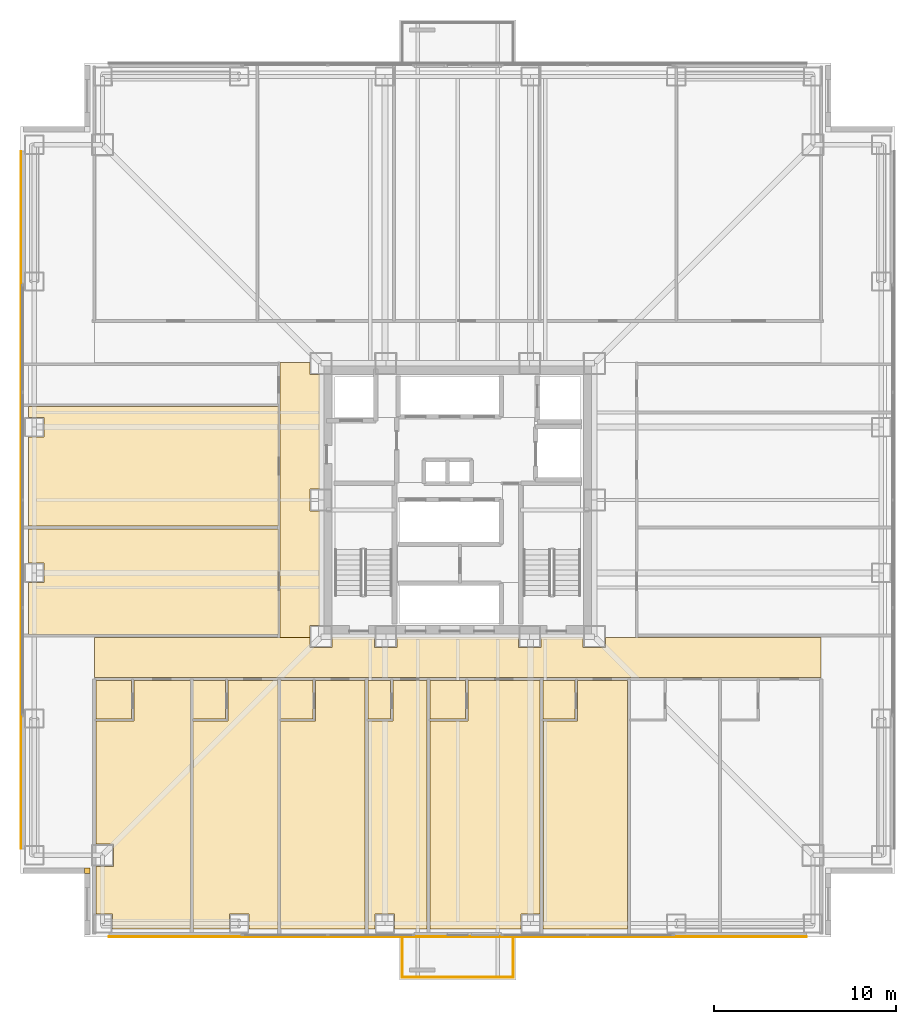
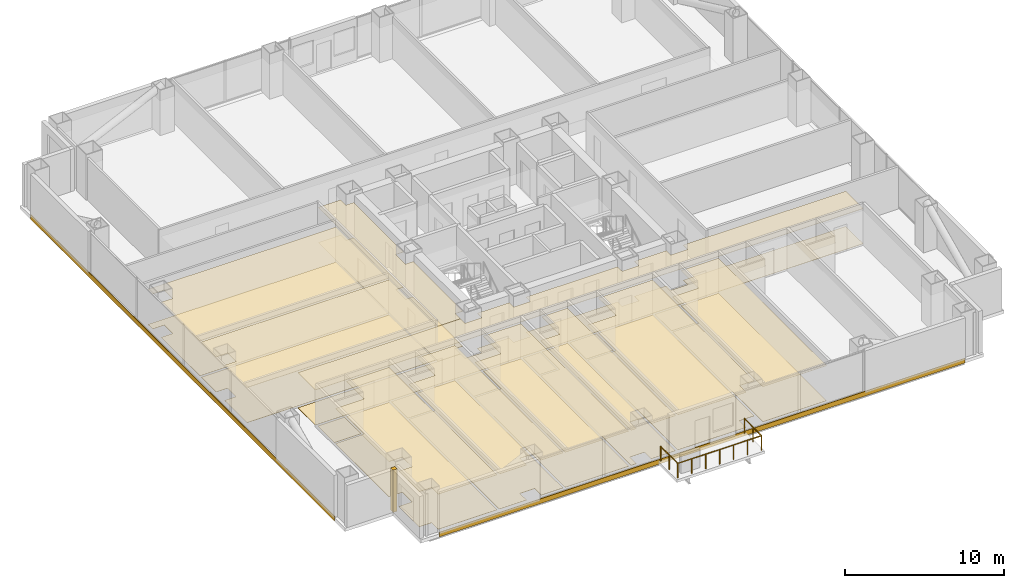
# One storey, part 14 of 16: 29 coverings, 3 railings.
"""IFC4 building model written with IfcOpenShell, lengths in metres."""

from ifc_helpers import new_model, si_unit, direction, frame, frame_2d, origin, origin_2d, place, context, subcontext, project, spatial, polyline, rectangle, circle, outline, extrude, material, layer, layer_set, type_object, element, save


model = new_model("IFC4")

# Units and contexts
model_context = context("Model", 3, precision=1e-05, world=origin(), true_north=direction((0.0, 1.0)))
body_context = subcontext(model_context, "Body", "Model", "MODEL_VIEW")
ifc_project = project(units=[si_unit("LENGTHUNIT", "METRE"), si_unit("AREAUNIT", "SQUARE_METRE"), si_unit("VOLUMEUNIT", "CUBIC_METRE"), si_unit("PLANEANGLEUNIT", "RADIAN"), si_unit("MASSUNIT", "GRAM", prefix="KILO")], contexts=[model_context])

# Site, building, storey
site_placement = place(None, origin())
site = spatial("IfcSite", under=ifc_project, at=site_placement, CompositionType="ELEMENT")
building_placement = place(site_placement, origin())
building = spatial("IfcBuilding", under=site, at=building_placement, Name="Trevonay Congress Spire", CompositionType="ELEMENT")
storey_placement = place(building_placement, frame((0.0, 0.0, 65.5)))
storey = spatial("IfcBuildingStorey", under=building, at=storey_placement, Name="L16", CompositionType="ELEMENT", Elevation=65.5)

# Coverings
ifc_material_1 = material(Name="Acoustic Mineral Fibre Board", Category="gypsum")
ifc_layer_1 = layer(ifc_material_1, 0.02490234375, Name="Acoustic Mineral Fibre Board")
ifc_layer_set_1 = layer_set([ifc_layer_1], Name="Acoustic Mineral Fibre Board")
covering_type_1 = type_object("IfcCoveringType", Name="COV-CEIL-ACOUSTIC", PredefinedType="CEILING", material=ifc_layer_set_1)
covering_1_placement = place(storey_placement, frame((0.0, 0.0, 2.699951171875)))
element("IfcCovering", 1, at=covering_1_placement, inside=storey, type_object=covering_type_1, Name="L16 Hotel Floor Corridor South acoustic suspended ceiling", PredefinedType="CEILING", context=body_context, shape_type="SweptSolid", body=[
    extrude(outline(polyline([(19.949951171875, -7.550048828125), (19.949951171875, -9.75), (-19.949951171875, -9.75), (-19.949951171875, -7.550048828125), (-8.110107421875, -7.550048828125), (-8.110107421875, -8.110107421875), (-6.889892578125, -8.110107421875), (-6.889892578125, -7.550048828125), (-4.56005859375, -7.550048828125), (-4.56005859375, -8.110107421875), (-3.340087890625, -8.110107421875), (-3.340087890625, -7.550048828125), (3.340087890625, -7.550048828125), (3.340087890625, -8.110107421875), (4.56005859375, -8.110107421875), (4.56005859375, -7.550048828125), (6.889892578125, -7.550048828125), (6.889892578125, -8.110107421875), (8.110107421875, -8.110107421875), (8.110107421875, -7.550048828125), (19.949951171875, -7.550048828125)])), origin(), (0.0, 0.0, 1.0), 0.025146484375),
])
covering_2_placement = place(storey_placement, frame((0.0, 0.0, 2.699951171875)))
element("IfcCovering", 2, at=covering_2_placement, inside=storey, type_object=covering_type_1, Name="L16 Hotel Floor Corridor West acoustic suspended ceiling", PredefinedType="CEILING", context=body_context, shape_type="SweptSolid", body=[
    extrude(outline(polyline([(-9.75, 7.550048828125), (-8.110107421875, 7.550048828125), (-8.110107421875, 6.889892578125), (-7.550048828125, 6.889892578125), (-7.550048828125, 0.610107421875), (-8.110107421875, 0.610107421875), (-8.110107421875, -0.610107421875), (-7.550048828125, -0.610107421875), (-7.550048828125, -6.889892578125), (-8.110107421875, -6.889892578125), (-8.110107421875, -7.550048828125), (-9.75, -7.550048828125), (-9.75, 7.550048828125)])), origin(), (0.0, 0.0, 1.0), 0.025146484375),
])
covering_3_placement = place(storey_placement, frame((0.0, 0.0, 2.699951171875)))
element("IfcCovering", 3, at=covering_3_placement, inside=storey, type_object=covering_type_1, Name="L16 Hotel Guest Room acoustic suspended ceiling", PredefinedType="CEILING", context=body_context, shape_type="SweptSolid", body=[
    extrude(outline(polyline([(-19.8701171875, -12.139892578125), (-17.780029296875, -12.139892578125), (-17.780029296875, -9.909912109375), (-14.679931640625, -9.909912109375), (-14.679931640625, -23.550048828125), (-18.965087890625, -23.550048828125), (-18.965087890625, -22.715087890625), (-19.8701171875, -22.715087890625), (-19.8701171875, -20.110107421875), (-18.889892578125, -20.110107421875), (-18.889892578125, -18.889892578125), (-19.8701171875, -18.889892578125), (-19.8701171875, -12.139892578125)])), origin(), (0.0, 0.0, 1.0), 0.025146484375),
])
covering_4_placement = place(storey_placement, frame((0.0, 0.0, 2.699951171875)))
element("IfcCovering", 4, at=covering_4_placement, inside=storey, type_object=covering_type_1, Name="L16 Corner Hotel Suite acoustic suspended ceiling", PredefinedType="CEILING", context=body_context, shape_type="SweptSolid", body=[
    extrude(outline(polyline([(-14.52001953125, -23.550048828125), (-14.52001953125, -12.139892578125), (-12.616943359375, -12.139892578125), (-12.616943359375, -9.909912109375), (-9.8798828125, -9.909912109375), (-9.8798828125, -23.550048828125), (-11.465087890625, -23.550048828125), (-11.465087890625, -22.715087890625), (-12.534912109375, -22.715087890625), (-12.534912109375, -23.550048828125), (-14.52001953125, -23.550048828125)])), origin(), (0.0, 0.0, 1.0), 0.025146484375),
])
covering_5_placement = place(storey_placement, frame((0.0, 0.0, 2.699951171875)))
element("IfcCovering", 5, at=covering_5_placement, inside=storey, type_object=covering_type_1, Name="L16 Hotel Guest Room acoustic suspended ceiling", PredefinedType="CEILING", context=body_context, shape_type="SweptSolid", body=[
    extrude(outline(polyline([(-9.719970703125, -23.550048828125), (-5.080078125, -23.550048828125), (-5.080078125, -9.909912109375), (-7.81689453125, -9.909912109375), (-7.81689453125, -12.139892578125), (-9.719970703125, -12.139892578125), (-9.719970703125, -23.550048828125)])), origin(), (0.0, 0.0, 1.0), 0.025146484375),
])
covering_6_placement = place(storey_placement, frame((0.0, 0.0, 2.699951171875)))
element("IfcCovering", 6, at=covering_6_placement, inside=storey, type_object=covering_type_1, Name="L16 Hotel Guest Room acoustic suspended ceiling", PredefinedType="CEILING", context=body_context, shape_type="SweptSolid", body=[
    extrude(outline(polyline([(-4.919921875, -23.550048828125), (-4.919921875, -12.139892578125), (-3.549072265625, -12.139892578125), (-3.549072265625, -9.909912109375), (-1.679931640625, -9.909912109375), (-1.679931640625, -23.550048828125), (-3.465087890625, -23.550048828125), (-3.465087890625, -22.715087890625), (-4.534912109375, -22.715087890625), (-4.534912109375, -23.550048828125), (-4.919921875, -23.550048828125)])), origin(), (0.0, 0.0, 1.0), 0.025146484375),
])
covering_7_placement = place(storey_placement, frame((0.0, 0.0, 2.699951171875)))
element("IfcCovering", 7, at=covering_7_placement, inside=storey, type_object=covering_type_1, Name="L16 Hotel Guest Room acoustic suspended ceiling", PredefinedType="CEILING", context=body_context, shape_type="SweptSolid", body=[
    extrude(outline(polyline([(-1.52001953125, -23.550048828125), (-1.52001953125, -12.139892578125), (0.570068359375, -12.139892578125), (0.570068359375, -9.909912109375), (4.52001953125, -9.909912109375), (4.52001953125, -22.715087890625), (3.465087890625, -22.715087890625), (3.465087890625, -23.550048828125), (-1.52001953125, -23.550048828125)])), origin(), (0.0, 0.0, 1.0), 0.025146484375),
])
covering_8_placement = place(storey_placement, frame((0.0, 0.0, 2.699951171875)))
element("IfcCovering", 8, at=covering_8_placement, inside=storey, type_object=covering_type_1, Name="L16 Hotel Guest Room acoustic suspended ceiling", PredefinedType="CEILING", context=body_context, shape_type="SweptSolid", body=[
    extrude(outline(polyline([(4.679931640625, -23.550048828125), (9.320068359375, -23.550048828125), (9.320068359375, -9.909912109375), (6.5830078125, -9.909912109375), (6.5830078125, -12.139892578125), (4.679931640625, -12.139892578125), (4.679931640625, -23.550048828125)])), origin(), (0.0, 0.0, 1.0), 0.025146484375),
])
covering_9_placement = place(storey_placement, frame((0.0, 0.0, 2.699951171875)))
element("IfcCovering", 9, at=covering_9_placement, inside=storey, type_object=covering_type_1, Name="L16 Club Concierge Office acoustic suspended ceiling", PredefinedType="CEILING", context=body_context, shape_type="SweptSolid", body=[
    extrude(outline(polyline([(-23.550048828125, -1.580078125), (-9.830078125, -1.580078125), (-9.830078125, -7.3701171875), (-23.550048828125, -7.3701171875), (-23.550048828125, -4.534912109375), (-22.715087890625, -4.534912109375), (-22.715087890625, -3.465087890625), (-23.550048828125, -3.465087890625), (-23.550048828125, -1.580078125)])), origin(), (0.0, 0.0, 1.0), 0.025146484375),
])
covering_10_placement = place(storey_placement, frame((0.0, 0.0, 2.699951171875)))
element("IfcCovering", 10, at=covering_10_placement, inside=storey, type_object=covering_type_1, Name="L16 Protocol Briefing Office acoustic suspended ceiling", PredefinedType="CEILING", context=body_context, shape_type="SweptSolid", body=[
    extrude(outline(polyline([(-23.550048828125, 5.1201171875), (-9.830078125, 5.1201171875), (-9.830078125, -1.419921875), (-23.550048828125, -1.419921875), (-23.550048828125, 3.465087890625), (-22.715087890625, 3.465087890625), (-22.715087890625, 4.534912109375), (-23.550048828125, 4.534912109375), (-23.550048828125, 5.1201171875)])), origin(), (0.0, 0.0, 1.0), 0.025146484375),
])
ifc_material_2 = material(Name="Polished Granite Floor Tile", Category="masonry")
ifc_layer_2 = layer(ifc_material_2, 0.02001953125, Name="Polished Granite Floor Tile")
ifc_layer_set_2 = layer_set([ifc_layer_2], Name="Polished Granite Floor Tile")
covering_type_2 = type_object("IfcCoveringType", Name="COV-FLOOR-STONE", PredefinedType="FLOORING", material=ifc_layer_set_2)
covering_11_placement = place(storey_placement, origin())
element("IfcCovering", 11, at=covering_11_placement, inside=storey, type_object=covering_type_2, Name="L16 Hotel Floor Corridor South floor finish", PredefinedType="FLOORING", context=body_context, shape_type="SweptSolid", body=[
    extrude(outline(polyline([(19.949951171875, -7.550048828125), (19.949951171875, -9.75), (-19.949951171875, -9.75), (-19.949951171875, -7.550048828125), (-8.110107421875, -7.550048828125), (-8.110107421875, -8.110107421875), (-6.889892578125, -8.110107421875), (-6.889892578125, -7.550048828125), (-4.56005859375, -7.550048828125), (-4.56005859375, -8.110107421875), (-3.340087890625, -8.110107421875), (-3.340087890625, -7.550048828125), (3.340087890625, -7.550048828125), (3.340087890625, -8.110107421875), (4.56005859375, -8.110107421875), (4.56005859375, -7.550048828125), (6.889892578125, -7.550048828125), (6.889892578125, -8.110107421875), (8.110107421875, -8.110107421875), (8.110107421875, -7.550048828125), (19.949951171875, -7.550048828125)])), origin(), (0.0, 0.0, 1.0), 0.02001953125),
])
covering_12_placement = place(storey_placement, origin())
element("IfcCovering", 12, at=covering_12_placement, inside=storey, type_object=covering_type_2, Name="L16 Hotel Floor Corridor West floor finish", PredefinedType="FLOORING", context=body_context, shape_type="SweptSolid", body=[
    extrude(outline(polyline([(-9.75, 7.550048828125), (-8.110107421875, 7.550048828125), (-8.110107421875, 6.889892578125), (-7.550048828125, 6.889892578125), (-7.550048828125, 0.610107421875), (-8.110107421875, 0.610107421875), (-8.110107421875, -0.610107421875), (-7.550048828125, -0.610107421875), (-7.550048828125, -6.889892578125), (-8.110107421875, -6.889892578125), (-8.110107421875, -7.550048828125), (-9.75, -7.550048828125), (-9.75, 7.550048828125)])), origin(), (0.0, 0.0, 1.0), 0.02001953125),
])
covering_13_placement = place(storey_placement, origin())
element("IfcCovering", 13, at=covering_13_placement, inside=storey, type_object=covering_type_2, Name="L16 En-suite Bathroom floor finish", PredefinedType="FLOORING", context=body_context, shape_type="SweptSolid", body=[
    extrude(outline(polyline([(-19.8701171875, -12.02001953125), (-17.919921875, -12.02001953125), (-17.919921875, -9.909912109375), (-19.8701171875, -9.909912109375), (-19.8701171875, -12.02001953125)])), origin(), (0.0, 0.0, 1.0), 0.02001953125),
])
covering_14_placement = place(storey_placement, origin())
element("IfcCovering", 14, at=covering_14_placement, inside=storey, type_object=covering_type_2, Name="L16 En-suite Bathroom floor finish", PredefinedType="FLOORING", context=body_context, shape_type="SweptSolid", body=[
    extrude(outline(polyline([(-14.52001953125, -12.02001953125), (-12.757080078125, -12.02001953125), (-12.757080078125, -9.909912109375), (-14.52001953125, -9.909912109375), (-14.52001953125, -12.02001953125)])), origin(), (0.0, 0.0, 1.0), 0.02001953125),
])
covering_15_placement = place(storey_placement, origin())
element("IfcCovering", 15, at=covering_15_placement, inside=storey, type_object=covering_type_2, Name="L16 En-suite Bathroom floor finish", PredefinedType="FLOORING", context=body_context, shape_type="SweptSolid", body=[
    extrude(outline(polyline([(-9.719970703125, -12.02001953125), (-7.95703125, -12.02001953125), (-7.95703125, -9.909912109375), (-9.719970703125, -9.909912109375), (-9.719970703125, -12.02001953125)])), origin(), (0.0, 0.0, 1.0), 0.02001953125),
])
covering_16_placement = place(storey_placement, origin())
element("IfcCovering", 16, at=covering_16_placement, inside=storey, type_object=covering_type_2, Name="L16 En-suite Bathroom floor finish", PredefinedType="FLOORING", context=body_context, shape_type="SweptSolid", body=[
    extrude(outline(polyline([(-4.919921875, -12.02001953125), (-3.68896484375, -12.02001953125), (-3.68896484375, -9.909912109375), (-4.919921875, -9.909912109375), (-4.919921875, -12.02001953125)])), origin(), (0.0, 0.0, 1.0), 0.02001953125),
])
covering_17_placement = place(storey_placement, origin())
element("IfcCovering", 17, at=covering_17_placement, inside=storey, type_object=covering_type_2, Name="L16 En-suite Bathroom floor finish", PredefinedType="FLOORING", context=body_context, shape_type="SweptSolid", body=[
    extrude(outline(polyline([(-1.52001953125, -12.02001953125), (0.429931640625, -12.02001953125), (0.429931640625, -9.909912109375), (-1.52001953125, -9.909912109375), (-1.52001953125, -12.02001953125)])), origin(), (0.0, 0.0, 1.0), 0.02001953125),
])
covering_18_placement = place(storey_placement, origin())
element("IfcCovering", 18, at=covering_18_placement, inside=storey, type_object=covering_type_2, Name="L16 En-suite Bathroom floor finish", PredefinedType="FLOORING", context=body_context, shape_type="SweptSolid", body=[
    extrude(outline(polyline([(4.679931640625, -12.02001953125), (6.443115234375, -12.02001953125), (6.443115234375, -9.909912109375), (4.679931640625, -9.909912109375), (4.679931640625, -12.02001953125)])), origin(), (0.0, 0.0, 1.0), 0.02001953125),
])
ifc_material_3 = material(Name="Engineered Oak Flooring", Category="wood")
ifc_layer_3 = layer(ifc_material_3, 0.01806640625, Name="Engineered Oak Flooring")
ifc_layer_set_3 = layer_set([ifc_layer_3], Name="Engineered Oak Flooring")
covering_type_3 = type_object("IfcCoveringType", Name="COV-FLOOR-TIMBER", PredefinedType="FLOORING", material=ifc_layer_set_3)
covering_19_placement = place(storey_placement, origin())
element("IfcCovering", 19, at=covering_19_placement, inside=storey, type_object=covering_type_3, Name="L16 Hotel Guest Room floor finish", PredefinedType="FLOORING", context=body_context, shape_type="SweptSolid", body=[
    extrude(outline(polyline([(-19.8701171875, -12.139892578125), (-17.780029296875, -12.139892578125), (-17.780029296875, -9.909912109375), (-14.679931640625, -9.909912109375), (-14.679931640625, -23.550048828125), (-18.965087890625, -23.550048828125), (-18.965087890625, -22.715087890625), (-19.8701171875, -22.715087890625), (-19.8701171875, -20.110107421875), (-18.889892578125, -20.110107421875), (-18.889892578125, -18.889892578125), (-19.8701171875, -18.889892578125), (-19.8701171875, -12.139892578125)])), origin(), (0.0, 0.0, 1.0), 0.01806640625),
])
covering_20_placement = place(storey_placement, origin())
element("IfcCovering", 20, at=covering_20_placement, inside=storey, type_object=covering_type_3, Name="L16 Corner Hotel Suite floor finish", PredefinedType="FLOORING", context=body_context, shape_type="SweptSolid", body=[
    extrude(outline(polyline([(-14.52001953125, -23.550048828125), (-14.52001953125, -12.139892578125), (-12.616943359375, -12.139892578125), (-12.616943359375, -9.909912109375), (-9.8798828125, -9.909912109375), (-9.8798828125, -23.550048828125), (-11.465087890625, -23.550048828125), (-11.465087890625, -22.715087890625), (-12.534912109375, -22.715087890625), (-12.534912109375, -23.550048828125), (-14.52001953125, -23.550048828125)])), origin(), (0.0, 0.0, 1.0), 0.01806640625),
])
covering_21_placement = place(storey_placement, origin())
element("IfcCovering", 21, at=covering_21_placement, inside=storey, type_object=covering_type_3, Name="L16 Hotel Guest Room floor finish", PredefinedType="FLOORING", context=body_context, shape_type="SweptSolid", body=[
    extrude(outline(polyline([(-9.719970703125, -23.550048828125), (-5.080078125, -23.550048828125), (-5.080078125, -9.909912109375), (-7.81689453125, -9.909912109375), (-7.81689453125, -12.139892578125), (-9.719970703125, -12.139892578125), (-9.719970703125, -23.550048828125)])), origin(), (0.0, 0.0, 1.0), 0.01806640625),
])
covering_22_placement = place(storey_placement, origin())
element("IfcCovering", 22, at=covering_22_placement, inside=storey, type_object=covering_type_3, Name="L16 Hotel Guest Room floor finish", PredefinedType="FLOORING", context=body_context, shape_type="SweptSolid", body=[
    extrude(outline(polyline([(-4.919921875, -23.550048828125), (-4.919921875, -12.139892578125), (-3.549072265625, -12.139892578125), (-3.549072265625, -9.909912109375), (-1.679931640625, -9.909912109375), (-1.679931640625, -23.550048828125), (-3.465087890625, -23.550048828125), (-3.465087890625, -22.715087890625), (-4.534912109375, -22.715087890625), (-4.534912109375, -23.550048828125), (-4.919921875, -23.550048828125)])), origin(), (0.0, 0.0, 1.0), 0.01806640625),
])
covering_23_placement = place(storey_placement, origin())
element("IfcCovering", 23, at=covering_23_placement, inside=storey, type_object=covering_type_3, Name="L16 Hotel Guest Room floor finish", PredefinedType="FLOORING", context=body_context, shape_type="SweptSolid", body=[
    extrude(outline(polyline([(-1.52001953125, -23.550048828125), (-1.52001953125, -12.139892578125), (0.570068359375, -12.139892578125), (0.570068359375, -9.909912109375), (4.52001953125, -9.909912109375), (4.52001953125, -22.715087890625), (3.465087890625, -22.715087890625), (3.465087890625, -23.550048828125), (-1.52001953125, -23.550048828125)])), origin(), (0.0, 0.0, 1.0), 0.01806640625),
])
covering_24_placement = place(storey_placement, origin())
element("IfcCovering", 24, at=covering_24_placement, inside=storey, type_object=covering_type_3, Name="L16 Hotel Guest Room floor finish", PredefinedType="FLOORING", context=body_context, shape_type="SweptSolid", body=[
    extrude(outline(polyline([(4.679931640625, -23.550048828125), (9.320068359375, -23.550048828125), (9.320068359375, -9.909912109375), (6.5830078125, -9.909912109375), (6.5830078125, -12.139892578125), (4.679931640625, -12.139892578125), (4.679931640625, -23.550048828125)])), origin(), (0.0, 0.0, 1.0), 0.01806640625),
])
covering_25_placement = place(storey_placement, origin())
element("IfcCovering", 25, at=covering_25_placement, inside=storey, type_object=covering_type_3, Name="L16 Club Concierge Office floor finish", PredefinedType="FLOORING", context=body_context, shape_type="SweptSolid", body=[
    extrude(outline(polyline([(-23.550048828125, -1.580078125), (-9.830078125, -1.580078125), (-9.830078125, -7.3701171875), (-23.550048828125, -7.3701171875), (-23.550048828125, -4.534912109375), (-22.715087890625, -4.534912109375), (-22.715087890625, -3.465087890625), (-23.550048828125, -3.465087890625), (-23.550048828125, -1.580078125)])), origin(), (0.0, 0.0, 1.0), 0.01806640625),
])
covering_26_placement = place(storey_placement, origin())
element("IfcCovering", 26, at=covering_26_placement, inside=storey, type_object=covering_type_3, Name="L16 Protocol Briefing Office floor finish", PredefinedType="FLOORING", context=body_context, shape_type="SweptSolid", body=[
    extrude(outline(polyline([(-23.550048828125, 5.1201171875), (-9.830078125, 5.1201171875), (-9.830078125, -1.419921875), (-23.550048828125, -1.419921875), (-23.550048828125, 3.465087890625), (-22.715087890625, 3.465087890625), (-22.715087890625, 4.534912109375), (-23.550048828125, 4.534912109375), (-23.550048828125, 5.1201171875)])), origin(), (0.0, 0.0, 1.0), 0.01806640625),
])
ifc_material_4 = material(Name="Pale Anodised Aluminium EN AW-6063-T6", Category="aluminium")
ifc_layer_4 = layer(ifc_material_4, 0.0400390625, Name="Pale Anodised Aluminium EN AW-6063-T6")
ifc_layer_set_4 = layer_set([ifc_layer_4], Name="Pale Anodised Aluminium EN AW-6063-T6")
covering_type_4 = type_object("IfcCoveringType", Name="COV-SPANDREL-PALE-METAL", PredefinedType="CLADDING", material=ifc_layer_set_4)
for number, where, z_axis, x_axis, name in (
    (27, (-19.14990234375, -23.97998046875, -0.239990234375), (0.0, 0.0, 1.0), (1.0, 0.0, 0.0), "L16 S pale-metal slab-edge spandrel cladding"),
    (28, (-23.97998046875, -19.14990234375, -0.239990234375), (0.0, 0.0, 1.0), (0.0, 1.0, 0.0), "L16 W pale-metal slab-edge spandrel cladding"),
):
    element("IfcCovering", number, at=place(storey_placement, frame(where, z_axis=z_axis, x_axis=x_axis)), inside=storey, type_object=covering_type_4, Name=name, PredefinedType="CLADDING", context=body_context, shape_type="SweptSolid", body=[
        extrude(rectangle(XDim=38.2998046875, YDim=0.0400390625, at=frame_2d((19.14990234375, 0.0))), origin(), (0.0, 0.0, 1.0), 0.360107421875),
    ])
covering_27_placement = place(storey_placement, origin())
element("IfcCovering", 29, at=covering_27_placement, inside=storey, type_object=covering_type_4, Name="L16 SW re-entrant notch corner closure trim", PredefinedType="CLADDING", context=body_context, shape_type="SweptSolid", body=[
    extrude(outline(polyline([(-20.5, -20.5), (-20.199951171875, -20.5), (-20.199951171875, -20.199951171875), (-20.5, -20.199951171875), (-20.5, -20.5)])), origin(), (0.0, 0.0, 1.0), 3.25),
])

# Railings
railing_type = type_object("IfcRailingType", Name="RAL-EXT-GUARD-115", PredefinedType="GUARDRAIL", material=ifc_material_4)
railing_1_placement = place(storey_placement, frame((-3.050048828125, -24.050048828125, 0.0)))
element("IfcRailing", 30, at=railing_1_placement, inside=storey, type_object=railing_type, Name="L16 perimeter safety guard GRD-L16-TBAL-S-1", PredefinedType="GUARDRAIL", context=body_context, shape_type="SweptSolid", body=[
    extrude(circle(Radius=0.02392578125, at=origin_2d()), frame((0.0, 0.0, 1.1259765625), z_axis=(0.0, -1.0, 0.0), x_axis=(1.0, 0.0, 0.0)), (0.0, 0.0, 1.0), 2.14990234375),
    extrude(circle(Radius=0.02099609375, at=origin_2d()), origin(), (0.0, 0.0, 1.0), 1.101806640625),
    extrude(circle(Radius=0.02099609375, at=origin_2d()), frame((0.0, -1.074951171875, 0.0)), (0.0, 0.0, 1.0), 1.101806640625),
    extrude(circle(Radius=0.02099609375, at=origin_2d()), frame((0.0, -2.14990234375, 0.0)), (0.0, 0.0, 1.0), 1.101806640625),
])
railing_2_placement = place(storey_placement, frame((-3.050048828125, -26.199951171875, 0.0)))
element("IfcRailing", 31, at=railing_2_placement, inside=storey, type_object=railing_type, Name="L16 perimeter safety guard GRD-L16-TBAL-S-2", PredefinedType="GUARDRAIL", context=body_context, shape_type="SweptSolid", body=[
    extrude(circle(Radius=0.02392578125, at=origin_2d()), frame((0.0, 0.0, 1.1259765625), z_axis=(1.0, 0.0, 0.0), x_axis=(0.0, 1.0, 0.0)), (0.0, 0.0, 1.0), 6.10009765625),
    extrude(circle(Radius=0.02099609375, at=origin_2d()), origin(), (0.0, 0.0, 1.0), 1.101806640625),
    extrude(circle(Radius=0.02099609375, at=origin_2d()), frame((1.0166015625, 0.0, 0.0)), (0.0, 0.0, 1.0), 1.101806640625),
    extrude(circle(Radius=0.02099609375, at=origin_2d()), frame((2.033447265625, 0.0, 0.0)), (0.0, 0.0, 1.0), 1.101806640625),
    extrude(circle(Radius=0.02099609375, at=origin_2d()), frame((3.050048828125, 0.0, 0.0)), (0.0, 0.0, 1.0), 1.101806640625),
    extrude(circle(Radius=0.02099609375, at=origin_2d()), frame((4.066650390625, 0.0, 0.0)), (0.0, 0.0, 1.0), 1.101806640625),
    extrude(circle(Radius=0.02099609375, at=origin_2d()), frame((5.08349609375, 0.0, 0.0)), (0.0, 0.0, 1.0), 1.101806640625),
    extrude(circle(Radius=0.02099609375, at=origin_2d()), frame((6.10009765625, 0.0, 0.0)), (0.0, 0.0, 1.0), 1.101806640625),
])
railing_3_placement = place(storey_placement, frame((3.050048828125, -26.199951171875, 0.0)))
element("IfcRailing", 32, at=railing_3_placement, inside=storey, type_object=railing_type, Name="L16 perimeter safety guard GRD-L16-TBAL-S-3", PredefinedType="GUARDRAIL", context=body_context, shape_type="SweptSolid", body=[
    extrude(circle(Radius=0.02392578125, at=origin_2d()), frame((0.0, 0.0, 1.1259765625), z_axis=(0.0, 1.0, 0.0), x_axis=(-1.0, 0.0, 0.0)), (0.0, 0.0, 1.0), 2.14990234375),
    extrude(circle(Radius=0.02099609375, at=origin_2d()), origin(), (0.0, 0.0, 1.0), 1.101806640625),
    extrude(circle(Radius=0.02099609375, at=origin_2d()), frame((0.0, 1.074951171875, 0.0)), (0.0, 0.0, 1.0), 1.101806640625),
    extrude(circle(Radius=0.02099609375, at=origin_2d()), frame((0.0, 2.14990234375, 0.0)), (0.0, 0.0, 1.0), 1.101806640625),
])

save(model, "model.ifc")
